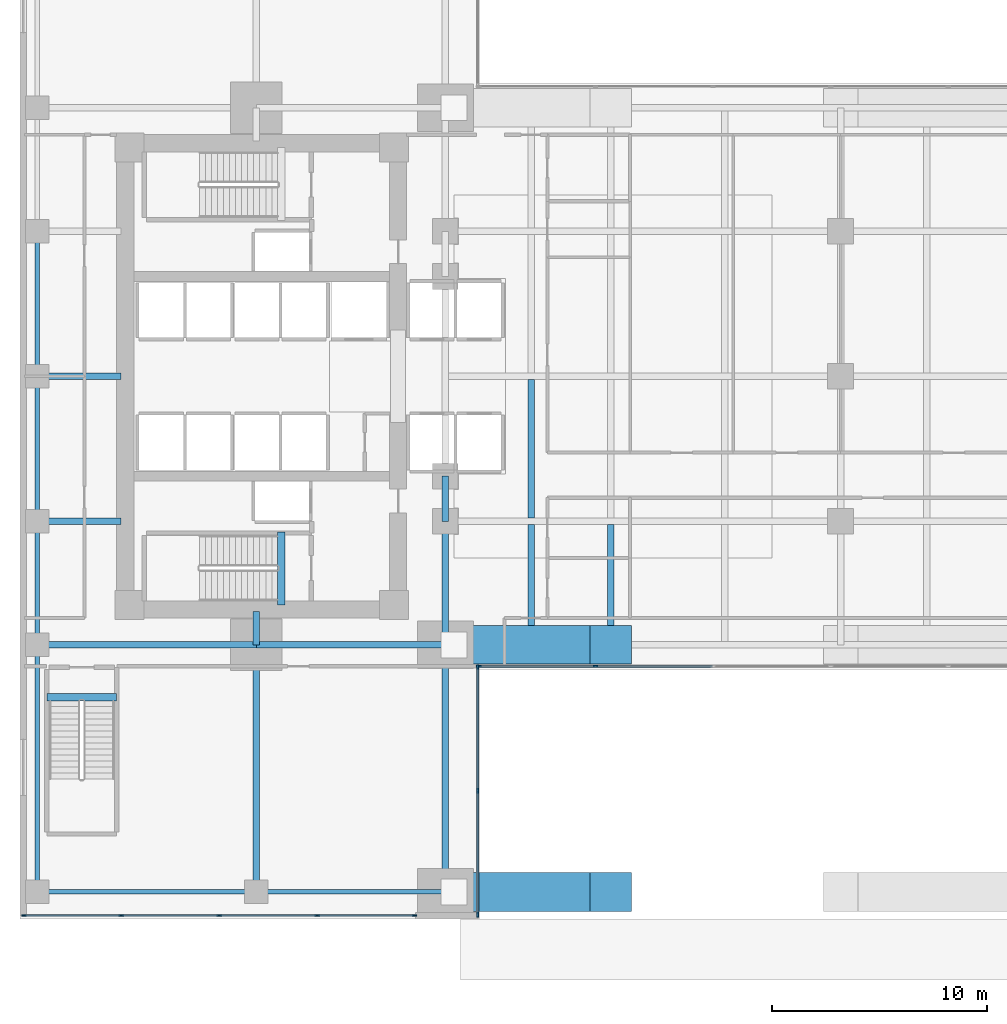
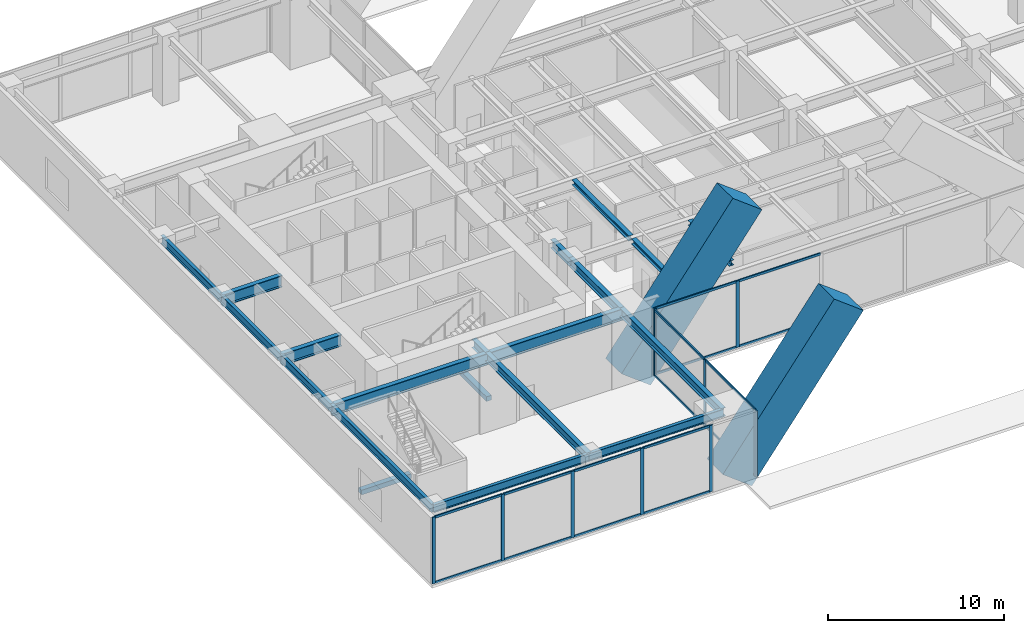
# One storey, part 2 of 13: 26 members, 22 beams, 3 elements without a shape of their own.
"""IFC4 building model written with IfcOpenShell, lengths in metres."""

from ifc_helpers import new_model, si_unit, direction, frame, origin, origin_2d, place, context, subcontext, project, spatial, rectangle, i_section, extrude, material, layer, layer_set, material_profile, profile_set, type_object, element, aggregate, save


model = new_model("IFC4")

# Units and contexts
model_context = context("Model", 3, precision=1e-05, world=origin(), true_north=direction((0.0, 1.0)))
body_context = subcontext(model_context, "Body", "Model", "MODEL_VIEW")
ifc_project = project(units=[si_unit("LENGTHUNIT", "METRE"), si_unit("AREAUNIT", "SQUARE_METRE"), si_unit("VOLUMEUNIT", "CUBIC_METRE"), si_unit("PLANEANGLEUNIT", "RADIAN"), si_unit("MASSUNIT", "GRAM", prefix="KILO")], contexts=[model_context])

# Site, building, storey
site_placement = place(None, origin())
site = spatial("IfcSite", under=ifc_project, at=site_placement, CompositionType="ELEMENT")
building_placement = place(site_placement, origin())
building = spatial("IfcBuilding", under=site, at=building_placement, Name="Kinhvarn Gate Tower", CompositionType="ELEMENT")
storey_placement = place(building_placement, frame((0.0, 0.0, 6.0)))
storey = spatial("IfcBuildingStorey", under=building, at=storey_placement, Name="L01", CompositionType="ELEMENT", Elevation=6.0)

# Beams
ifc_material_1 = material(Name="Concrete C70/85", Category="concrete")
ifc_material_profile_1 = material_profile(ifc_material_1, rectangle(XDim=1.800048828125, YDim=2.39990234375, at=origin_2d()), Name="RC 1800x2400")
ifc_profile_set_1 = profile_set([ifc_material_profile_1], Name="Concrete C70/85")
beam_type_1 = type_object("IfcBeamType", Name="BM-AR-2400", PredefinedType="BEAM", material=ifc_profile_set_1)
for number, where, z_axis, x_axis, name in (
    (1, (20.199951171875, 1.25, 0.0), (0.60529214593, 0.0, 0.796003403306), (0.0, 1.0, 0.0), "Portal Arch West Haunch Rib AR-01-W1"),
    (2, (20.199951171875, 12.75, 0.0), (0.60529214593, 0.0, 0.796003403306), (0.0, 1.0, 0.0), "Portal Arch West Haunch Rib AR-01-W2"),
):
    element("IfcBeam", number, at=place(storey_placement, frame(where, z_axis=z_axis, x_axis=x_axis)), inside=storey, type_object=beam_type_1, Name=name, PredefinedType="BEAM", context=body_context, shape_type="SweptSolid", body=[
        extrude(rectangle(XDim=1.800048828125, YDim=2.39990234375, at=origin_2d()), origin(), (0.0, 0.0, 1.0), 12.060302734375),
    ])
ifc_material_2 = material(Name="Concrete C50/60", Category="concrete")
ifc_material_profile_2 = material_profile(ifc_material_2, rectangle(XDim=0.340087890625, YDim=0.320068359375, at=origin_2d()), Name="RC 340x320")
ifc_profile_set_2 = profile_set([ifc_material_profile_2], Name="Concrete C50/60")
beam_type_2 = type_object("IfcBeamType", Name="BM-LND-500", PredefinedType="BEAM", material=ifc_profile_set_2)
beam_1_placement = place(storey_placement, frame((12.1650390625, 14.60009765625, -0.159912109375), z_axis=(0.0, 1.0, 0.0), x_axis=(-1.0, 0.0, 0.0)))
element("IfcBeam", 3, at=beam_1_placement, inside=storey, type_object=beam_type_2, Name="Stair ST1 Landing Nosing Beam (L01)", PredefinedType="BEAM", context=body_context, shape_type="SweptSolid", body=[
    extrude(rectangle(XDim=0.340087890625, YDim=0.320068359375, at=origin_2d()), origin(), (0.0, 0.0, 1.0), 3.39990234375),
])
beam_2_placement = place(storey_placement, frame((1.25, 10.31494140625, -0.159912109375), z_axis=(1.0, 0.0, 0.0), x_axis=(0.0, 1.0, 0.0)))
element("IfcBeam", 4, at=beam_2_placement, inside=storey, type_object=beam_type_2, Name="Stair ST3 Landing Nosing Beam (L01)", PredefinedType="BEAM", context=body_context, shape_type="SweptSolid", body=[
    extrude(rectangle(XDim=0.340087890625, YDim=0.320068359375, at=origin_2d()), origin(), (0.0, 0.0, 1.0), 3.25),
])

# Curtain wall, members
ifc_material_3 = material(Name="Anodised aluminium AW-6063", Category="aluminium")
ifc_layer = layer(ifc_material_3, 0.219970703125)
ifc_layer_set = layer_set([ifc_layer], Name="Anodised aluminium AW-6063")
curtain_wall_type = type_object("IfcCurtainWallType", Name="CW-SYS-1", PredefinedType="NOTDEFINED", material=ifc_layer_set)
curtain_wall_1_placement = place(storey_placement, origin())
curtain_wall_1 = element("IfcCurtainWall", 5, at=curtain_wall_1_placement, inside=storey, type_object=curtain_wall_type, Name="Curtain Wall CW1 (L01)", PredefinedType="NOTDEFINED")
ifc_material_profile_3 = material_profile(ifc_material_3, rectangle(XDim=0.080078125, YDim=0.219970703125, at=origin_2d()), Name="ALU 80x220")
ifc_profile_set_3 = profile_set([ifc_material_profile_3], Name="Anodised aluminium AW-6063")
member_type_1 = type_object("IfcMemberType", Name="CW-MUL-220", PredefinedType="MULLION", material=ifc_profile_set_3)
member_1_placement = place(storey_placement, frame((0.18994140625, 0.14990234375, 0.0), z_axis=(0.0, 0.0, 1.0), x_axis=(0.0, 1.0, 0.0)))
member_1 = element("IfcMember", 6, at=member_1_placement, type_object=member_type_1, Name="CW1 mullion 1", PredefinedType="MULLION", context=body_context, shape_type="SweptSolid", body=[
    extrude(rectangle(XDim=0.080078125, YDim=0.219970703125, at=origin_2d()), origin(), (0.0, 0.0, 1.0), 4.60009765625),
])
member_2_placement = place(storey_placement, frame((4.71240234375, 0.14990234375, 0.0), z_axis=(0.0, 0.0, 1.0), x_axis=(0.0, 1.0, 0.0)))
member_2 = element("IfcMember", 7, at=member_2_placement, type_object=member_type_1, Name="CW1 mullion 2", PredefinedType="MULLION", context=body_context, shape_type="SweptSolid", body=[
    extrude(rectangle(XDim=0.080078125, YDim=0.219970703125, at=origin_2d()), origin(), (0.0, 0.0, 1.0), 4.60009765625),
])
member_3_placement = place(storey_placement, frame((9.27490234375, 0.14990234375, 0.0), z_axis=(0.0, 0.0, 1.0), x_axis=(0.0, 1.0, 0.0)))
member_3 = element("IfcMember", 8, at=member_3_placement, type_object=member_type_1, Name="CW1 mullion 3", PredefinedType="MULLION", context=body_context, shape_type="SweptSolid", body=[
    extrude(rectangle(XDim=0.080078125, YDim=0.219970703125, at=origin_2d()), origin(), (0.0, 0.0, 1.0), 4.60009765625),
])
member_4_placement = place(storey_placement, frame((13.83740234375, 0.14990234375, 0.0), z_axis=(0.0, 0.0, 1.0), x_axis=(0.0, 1.0, 0.0)))
member_4 = element("IfcMember", 9, at=member_4_placement, type_object=member_type_1, Name="CW1 mullion 4", PredefinedType="MULLION", context=body_context, shape_type="SweptSolid", body=[
    extrude(rectangle(XDim=0.080078125, YDim=0.219970703125, at=origin_2d()), origin(), (0.0, 0.0, 1.0), 4.60009765625),
])
member_5_placement = place(storey_placement, frame((18.360107421875, 0.14990234375, 0.0), z_axis=(0.0, 0.0, 1.0), x_axis=(0.0, 1.0, 0.0)))
member_5 = element("IfcMember", 10, at=member_5_placement, type_object=member_type_1, Name="CW1 mullion 5", PredefinedType="MULLION", context=body_context, shape_type="SweptSolid", body=[
    extrude(rectangle(XDim=0.080078125, YDim=0.219970703125, at=origin_2d()), origin(), (0.0, 0.0, 1.0), 4.60009765625),
])

curtain_wall_2_placement = place(storey_placement, origin())
curtain_wall_2 = element("IfcCurtainWall", 11, at=curtain_wall_2_placement, inside=storey, type_object=curtain_wall_type, Name="Curtain Wall CW1 (L01)", PredefinedType="NOTDEFINED")
member_6_placement = place(storey_placement, frame((21.31005859375, 0.18994140625, 0.0), z_axis=(0.0, 0.0, 1.0), x_axis=(-1.0, 0.0, 0.0)))
member_6 = element("IfcMember", 12, at=member_6_placement, type_object=member_type_1, Name="CW1 mullion 1", PredefinedType="MULLION", context=body_context, shape_type="SweptSolid", body=[
    extrude(rectangle(XDim=0.080078125, YDim=0.219970703125, at=origin_2d()), origin(), (0.0, 0.0, 1.0), 4.60009765625),
])
member_7_placement = place(storey_placement, frame((21.31005859375, 5.955078125, 0.0), z_axis=(0.0, 0.0, 1.0), x_axis=(-1.0, 0.0, 0.0)))
member_7 = element("IfcMember", 13, at=member_7_placement, type_object=member_type_1, Name="CW1 mullion 2", PredefinedType="MULLION", context=body_context, shape_type="SweptSolid", body=[
    extrude(rectangle(XDim=0.080078125, YDim=0.219970703125, at=origin_2d()), origin(), (0.0, 0.0, 1.0), 4.60009765625),
])
member_8_placement = place(storey_placement, frame((21.31005859375, 11.719970703125, 0.0), z_axis=(0.0, 0.0, 1.0), x_axis=(-1.0, 0.0, 0.0)))
member_8 = element("IfcMember", 14, at=member_8_placement, type_object=member_type_1, Name="CW1 mullion 3", PredefinedType="MULLION", context=body_context, shape_type="SweptSolid", body=[
    extrude(rectangle(XDim=0.080078125, YDim=0.219970703125, at=origin_2d()), origin(), (0.0, 0.0, 1.0), 4.60009765625),
])

curtain_wall_3_placement = place(storey_placement, origin())
curtain_wall_3 = element("IfcCurtainWall", 15, at=curtain_wall_3_placement, inside=storey, type_object=curtain_wall_type, Name="Curtain Wall CW1 (L01)", PredefinedType="NOTDEFINED")
member_9_placement = place(storey_placement, frame((21.35009765625, 11.760009765625, 0.0), z_axis=(0.0, 0.0, 1.0), x_axis=(0.0, 1.0, 0.0)))
member_9 = element("IfcMember", 16, at=member_9_placement, type_object=member_type_1, Name="CW1 mullion 1", PredefinedType="MULLION", context=body_context, shape_type="SweptSolid", body=[
    extrude(rectangle(XDim=0.080078125, YDim=0.219970703125, at=origin_2d()), origin(), (0.0, 0.0, 1.0), 4.60009765625),
])
member_10_placement = place(storey_placement, frame((26.785888671875, 11.760009765625, 0.0), z_axis=(0.0, 0.0, 1.0), x_axis=(0.0, 1.0, 0.0)))
member_10 = element("IfcMember", 17, at=member_10_placement, type_object=member_type_1, Name="CW1 mullion 2", PredefinedType="MULLION", context=body_context, shape_type="SweptSolid", body=[
    extrude(rectangle(XDim=0.080078125, YDim=0.219970703125, at=origin_2d()), origin(), (0.0, 0.0, 1.0), 4.60009765625),
])

# Member
ifc_material_profile_4 = material_profile(ifc_material_3, rectangle(XDim=0.080078125, YDim=0.159912109375, at=origin_2d()), Name="ALU 80x160")
ifc_profile_set_4 = profile_set([ifc_material_profile_4], Name="Anodised aluminium AW-6063")
member_type_2 = type_object("IfcMemberType", Name="CW-TRN-160", PredefinedType="USERDEFINED", material=ifc_profile_set_4)
member_11_placement = place(storey_placement, frame((0.22998046875, 0.14990234375, 0.0400390625), z_axis=(1.0, 0.0, 0.0), x_axis=(0.0, 1.0, 0.0)))
member_11 = element("IfcMember", 18, at=member_11_placement, type_object=member_type_2, Name="CW1 transom 1.1", ObjectType="TRANSOM", PredefinedType="USERDEFINED", context=body_context, shape_type="SweptSolid", body=[
    extrude(rectangle(XDim=0.080078125, YDim=0.159912109375, at=origin_2d()), origin(), (0.0, 0.0, 1.0), 4.442626953125),
])

member_12_placement = place(storey_placement, frame((0.22998046875, 0.14990234375, 4.56005859375), z_axis=(1.0, 0.0, 0.0), x_axis=(0.0, 1.0, 0.0)))
member_12 = element("IfcMember", 19, at=member_12_placement, type_object=member_type_2, Name="CW1 transom 1.2", ObjectType="TRANSOM", PredefinedType="USERDEFINED", context=body_context, shape_type="SweptSolid", body=[
    extrude(rectangle(XDim=0.080078125, YDim=0.159912109375, at=origin_2d()), origin(), (0.0, 0.0, 1.0), 4.442626953125),
])

member_13_placement = place(storey_placement, frame((4.75244140625, 0.14990234375, 0.0400390625), z_axis=(1.0, 0.0, 0.0), x_axis=(0.0, 1.0, 0.0)))
member_13 = element("IfcMember", 20, at=member_13_placement, type_object=member_type_2, Name="CW1 transom 2.1", ObjectType="TRANSOM", PredefinedType="USERDEFINED", context=body_context, shape_type="SweptSolid", body=[
    extrude(rectangle(XDim=0.080078125, YDim=0.159912109375, at=origin_2d()), origin(), (0.0, 0.0, 1.0), 4.482666015625),
])

member_14_placement = place(storey_placement, frame((4.75244140625, 0.14990234375, 4.56005859375), z_axis=(1.0, 0.0, 0.0), x_axis=(0.0, 1.0, 0.0)))
member_14 = element("IfcMember", 21, at=member_14_placement, type_object=member_type_2, Name="CW1 transom 2.2", ObjectType="TRANSOM", PredefinedType="USERDEFINED", context=body_context, shape_type="SweptSolid", body=[
    extrude(rectangle(XDim=0.080078125, YDim=0.159912109375, at=origin_2d()), origin(), (0.0, 0.0, 1.0), 4.482666015625),
])

member_15_placement = place(storey_placement, frame((9.31494140625, 0.14990234375, 0.0400390625), z_axis=(1.0, 0.0, 0.0), x_axis=(0.0, 1.0, 0.0)))
member_15 = element("IfcMember", 22, at=member_15_placement, type_object=member_type_2, Name="CW1 transom 3.1", ObjectType="TRANSOM", PredefinedType="USERDEFINED", context=body_context, shape_type="SweptSolid", body=[
    extrude(rectangle(XDim=0.080078125, YDim=0.159912109375, at=origin_2d()), origin(), (0.0, 0.0, 1.0), 4.482666015625),
])

member_16_placement = place(storey_placement, frame((9.31494140625, 0.14990234375, 4.56005859375), z_axis=(1.0, 0.0, 0.0), x_axis=(0.0, 1.0, 0.0)))
member_16 = element("IfcMember", 23, at=member_16_placement, type_object=member_type_2, Name="CW1 transom 3.2", ObjectType="TRANSOM", PredefinedType="USERDEFINED", context=body_context, shape_type="SweptSolid", body=[
    extrude(rectangle(XDim=0.080078125, YDim=0.159912109375, at=origin_2d()), origin(), (0.0, 0.0, 1.0), 4.482666015625),
])

member_17_placement = place(storey_placement, frame((13.87744140625, 0.14990234375, 0.0400390625), z_axis=(1.0, 0.0, 0.0), x_axis=(0.0, 1.0, 0.0)))
member_17 = element("IfcMember", 24, at=member_17_placement, type_object=member_type_2, Name="CW1 transom 4.1", ObjectType="TRANSOM", PredefinedType="USERDEFINED", context=body_context, shape_type="SweptSolid", body=[
    extrude(rectangle(XDim=0.080078125, YDim=0.159912109375, at=origin_2d()), origin(), (0.0, 0.0, 1.0), 4.442626953125),
])

member_18_placement = place(storey_placement, frame((13.87744140625, 0.14990234375, 4.56005859375), z_axis=(1.0, 0.0, 0.0), x_axis=(0.0, 1.0, 0.0)))
member_18 = element("IfcMember", 25, at=member_18_placement, type_object=member_type_2, Name="CW1 transom 4.2", ObjectType="TRANSOM", PredefinedType="USERDEFINED", context=body_context, shape_type="SweptSolid", body=[
    extrude(rectangle(XDim=0.080078125, YDim=0.159912109375, at=origin_2d()), origin(), (0.0, 0.0, 1.0), 4.442626953125),
])

aggregate(curtain_wall_1, [member_1, member_2, member_3, member_4, member_5, member_11, member_12, member_13, member_14, member_15, member_16, member_17, member_18])

member_19_placement = place(storey_placement, frame((21.31005859375, 0.22998046875, 0.0400390625), z_axis=(0.0, 1.0, 0.0), x_axis=(-1.0, 0.0, 0.0)))
member_19 = element("IfcMember", 26, at=member_19_placement, type_object=member_type_2, Name="CW1 transom 1.1", ObjectType="TRANSOM", PredefinedType="USERDEFINED", context=body_context, shape_type="SweptSolid", body=[
    extrude(rectangle(XDim=0.080078125, YDim=0.159912109375, at=origin_2d()), origin(), (0.0, 0.0, 1.0), 5.68505859375),
])

member_20_placement = place(storey_placement, frame((21.31005859375, 0.22998046875, 4.56005859375), z_axis=(0.0, 1.0, 0.0), x_axis=(-1.0, 0.0, 0.0)))
member_20 = element("IfcMember", 27, at=member_20_placement, type_object=member_type_2, Name="CW1 transom 1.2", ObjectType="TRANSOM", PredefinedType="USERDEFINED", context=body_context, shape_type="SweptSolid", body=[
    extrude(rectangle(XDim=0.080078125, YDim=0.159912109375, at=origin_2d()), origin(), (0.0, 0.0, 1.0), 5.68505859375),
])

member_21_placement = place(storey_placement, frame((21.31005859375, 5.9951171875, 0.0400390625), z_axis=(0.0, 1.0, 0.0), x_axis=(-1.0, 0.0, 0.0)))
member_21 = element("IfcMember", 28, at=member_21_placement, type_object=member_type_2, Name="CW1 transom 2.1", ObjectType="TRANSOM", PredefinedType="USERDEFINED", context=body_context, shape_type="SweptSolid", body=[
    extrude(rectangle(XDim=0.080078125, YDim=0.159912109375, at=origin_2d()), origin(), (0.0, 0.0, 1.0), 5.684814453125),
])

member_22_placement = place(storey_placement, frame((21.31005859375, 5.9951171875, 4.56005859375), z_axis=(0.0, 1.0, 0.0), x_axis=(-1.0, 0.0, 0.0)))
member_22 = element("IfcMember", 29, at=member_22_placement, type_object=member_type_2, Name="CW1 transom 2.2", ObjectType="TRANSOM", PredefinedType="USERDEFINED", context=body_context, shape_type="SweptSolid", body=[
    extrude(rectangle(XDim=0.080078125, YDim=0.159912109375, at=origin_2d()), origin(), (0.0, 0.0, 1.0), 5.684814453125),
])

aggregate(curtain_wall_2, [member_6, member_7, member_8, member_19, member_20, member_21, member_22])

member_23_placement = place(storey_placement, frame((21.389892578125, 11.760009765625, 0.0400390625), z_axis=(1.0, 0.0, 0.0), x_axis=(0.0, 1.0, 0.0)))
member_23 = element("IfcMember", 30, at=member_23_placement, type_object=member_type_2, Name="CW1 transom 1.1", ObjectType="TRANSOM", PredefinedType="USERDEFINED", context=body_context, shape_type="SweptSolid", body=[
    extrude(rectangle(XDim=0.080078125, YDim=0.159912109375, at=origin_2d()), origin(), (0.0, 0.0, 1.0), 5.356201171875),
])

member_24_placement = place(storey_placement, frame((21.389892578125, 11.760009765625, 4.56005859375), z_axis=(1.0, 0.0, 0.0), x_axis=(0.0, 1.0, 0.0)))
member_24 = element("IfcMember", 31, at=member_24_placement, type_object=member_type_2, Name="CW1 transom 1.2", ObjectType="TRANSOM", PredefinedType="USERDEFINED", context=body_context, shape_type="SweptSolid", body=[
    extrude(rectangle(XDim=0.080078125, YDim=0.159912109375, at=origin_2d()), origin(), (0.0, 0.0, 1.0), 5.356201171875),
])

member_25_placement = place(storey_placement, frame((26.825927734375, 11.760009765625, 0.0400390625), z_axis=(1.0, 0.0, 0.0), x_axis=(0.0, 1.0, 0.0)))
member_25 = element("IfcMember", 32, at=member_25_placement, type_object=member_type_2, Name="CW1 transom 2.1", ObjectType="TRANSOM", PredefinedType="USERDEFINED", context=body_context, shape_type="SweptSolid", body=[
    extrude(rectangle(XDim=0.080078125, YDim=0.159912109375, at=origin_2d()), origin(), (0.0, 0.0, 1.0), 5.39599609375),
])

member_26_placement = place(storey_placement, frame((26.825927734375, 11.760009765625, 4.56005859375), z_axis=(1.0, 0.0, 0.0), x_axis=(0.0, 1.0, 0.0)))
member_26 = element("IfcMember", 33, at=member_26_placement, type_object=member_type_2, Name="CW1 transom 2.2", ObjectType="TRANSOM", PredefinedType="USERDEFINED", context=body_context, shape_type="SweptSolid", body=[
    extrude(rectangle(XDim=0.080078125, YDim=0.159912109375, at=origin_2d()), origin(), (0.0, 0.0, 1.0), 5.39599609375),
])

aggregate(curtain_wall_3, [member_9, member_10, member_23, member_24, member_25, member_26])

# Beams
ifc_material_4 = material(Name="Steel S355", Category="steel")
ifc_material_profile_5 = material_profile(ifc_material_4, i_section(OverallWidth=0.300048828125, OverallDepth=0.360107421875, WebThickness=0.012451171875, FlangeThickness=0.0224609375, at=origin_2d()), Name="HEB 360")
ifc_profile_set_5 = profile_set([ifc_material_profile_5], Name="Steel S355")
beam_type_3 = type_object("IfcBeamType", Name="STL-HEB360", PredefinedType="BEAM", material=ifc_profile_set_5)
for number, where, z_axis, x_axis, name in (
    (34, (23.800048828125, 13.64990234375, 4.419921875), (0.0, 1.0, 0.0), (-1.0, 0.0, 0.0), "Floor Beam PG-11 (L01 POD-J238-12)"),
    (35, (27.5, 13.64990234375, 4.419921875), (0.0, 1.0, 0.0), (-1.0, 0.0, 0.0), "Floor Beam PG-11 (L01 POD-J275-12)"),
):
    element("IfcBeam", number, at=place(storey_placement, frame(where, z_axis=z_axis, x_axis=x_axis)), inside=storey, type_object=beam_type_3, Name=name, PredefinedType="BEAM", context=body_context, shape_type="SweptSolid", body=[
        extrude(i_section(OverallWidth=0.300048828125, OverallDepth=0.360107421875, WebThickness=0.012451171875, FlangeThickness=0.0224609375, at=origin_2d()), origin(), (0.0, 0.0, 1.0), 4.7001953125),
    ])
beam_3_placement = place(storey_placement, frame((23.800048828125, 18.64990234375, 4.419921875), z_axis=(0.0, 1.0, 0.0), x_axis=(-1.0, 0.0, 0.0)))
element("IfcBeam", 36, at=beam_3_placement, inside=storey, type_object=beam_type_3, Name="Floor Beam PG-11 (L01 POD-J238-18)", PredefinedType="BEAM", context=body_context, shape_type="SweptSolid", body=[
    extrude(i_section(OverallWidth=0.300048828125, OverallDepth=0.360107421875, WebThickness=0.012451171875, FlangeThickness=0.0224609375, at=origin_2d()), origin(), (0.0, 0.0, 1.0), 6.4501953125),
])
ifc_material_profile_6 = material_profile(ifc_material_4, i_section(OverallWidth=0.300048828125, OverallDepth=0.60009765625, WebThickness=0.015380859375, FlangeThickness=0.030029296875, at=origin_2d()), Name="HEB 600")
ifc_profile_set_6 = profile_set([ifc_material_profile_6], Name="Steel S355")
beam_type_4 = type_object("IfcBeamType", Name="STL-HEB600", PredefinedType="BEAM", material=ifc_profile_set_6)
beam_4_placement = place(storey_placement, frame((11.0, 1.25, 4.300048828125), z_axis=(0.0, 1.0, 0.0), x_axis=(-1.0, 0.0, 0.0)))
element("IfcBeam", 37, at=beam_4_placement, inside=storey, type_object=beam_type_4, Name="Floor Beam PG-16 (L01 NS11-S)", PredefinedType="BEAM", context=body_context, shape_type="SweptSolid", body=[
    extrude(i_section(OverallWidth=0.300048828125, OverallDepth=0.60009765625, WebThickness=0.015380859375, FlangeThickness=0.030029296875, at=origin_2d()), origin(), (0.0, 0.0, 1.0), 11.5),
])
beam_5_placement = place(storey_placement, frame((11.0, 12.75, 4.300048828125), z_axis=(0.0, 1.0, 0.0), x_axis=(-1.0, 0.0, 0.0)))
element("IfcBeam", 38, at=beam_5_placement, inside=storey, type_object=beam_type_4, Name="Floor Beam PG-16 (L01 NS11-CS)", PredefinedType="BEAM", context=body_context, shape_type="SweptSolid", body=[
    extrude(i_section(OverallWidth=0.300048828125, OverallDepth=0.60009765625, WebThickness=0.015380859375, FlangeThickness=0.030029296875, at=origin_2d()), origin(), (0.0, 0.0, 1.0), 1.550048828125),
])
beam_6_placement = place(storey_placement, frame((19.800048828125, 1.25, 4.300048828125), z_axis=(0.0, 1.0, 0.0), x_axis=(-1.0, 0.0, 0.0)))
element("IfcBeam", 39, at=beam_6_placement, inside=storey, type_object=beam_type_4, Name="Floor Beam PG-16 (L01 APW-1)", PredefinedType="BEAM", context=body_context, shape_type="SweptSolid", body=[
    extrude(i_section(OverallWidth=0.300048828125, OverallDepth=0.60009765625, WebThickness=0.015380859375, FlangeThickness=0.030029296875, at=origin_2d()), origin(), (0.0, 0.0, 1.0), 11.5),
])
beam_7_placement = place(storey_placement, frame((19.800048828125, 12.75, 4.300048828125), z_axis=(0.0, 1.0, 0.0), x_axis=(-1.0, 0.0, 0.0)))
element("IfcBeam", 40, at=beam_7_placement, inside=storey, type_object=beam_type_4, Name="Floor Beam PG-16 (L01 APW-2)", PredefinedType="BEAM", context=body_context, shape_type="SweptSolid", body=[
    extrude(i_section(OverallWidth=0.300048828125, OverallDepth=0.60009765625, WebThickness=0.015380859375, FlangeThickness=0.030029296875, at=origin_2d()), origin(), (0.0, 0.0, 1.0), 5.75),
])
beam_8_placement = place(storey_placement, frame((19.800048828125, 18.5, 4.300048828125), z_axis=(0.0, 1.0, 0.0), x_axis=(-1.0, 0.0, 0.0)))
element("IfcBeam", 41, at=beam_8_placement, inside=storey, type_object=beam_type_4, Name="Floor Beam PG-16 (L01 APW-3)", PredefinedType="BEAM", context=body_context, shape_type="SweptSolid", body=[
    extrude(i_section(OverallWidth=0.300048828125, OverallDepth=0.60009765625, WebThickness=0.015380859375, FlangeThickness=0.030029296875, at=origin_2d()), origin(), (0.0, 0.0, 1.0), 2.10009765625),
])
ifc_material_profile_7 = material_profile(ifc_material_4, i_section(OverallWidth=0.300048828125, OverallDepth=0.800048828125, WebThickness=0.017578125, FlangeThickness=0.032958984375, at=origin_2d()), Name="HEB 800")
ifc_profile_set_7 = profile_set([ifc_material_profile_7], Name="Steel S355")
beam_type_5 = type_object("IfcBeamType", Name="STL-HEB800", PredefinedType="BEAM", material=ifc_profile_set_7)
beam_9_placement = place(storey_placement, frame((0.800048828125, 12.75, 4.199951171875), z_axis=(1.0, 0.0, 0.0), x_axis=(0.0, 1.0, 0.0)))
element("IfcBeam", 42, at=beam_9_placement, inside=storey, type_object=beam_type_5, Name="Floor Beam PG-19 (L01 SPS-1)", PredefinedType="BEAM", context=body_context, shape_type="SweptSolid", body=[
    extrude(i_section(OverallWidth=0.300048828125, OverallDepth=0.800048828125, WebThickness=0.017578125, FlangeThickness=0.032958984375, at=origin_2d()), origin(), (0.0, 0.0, 1.0), 10.199951171875),
])
beam_10_placement = place(storey_placement, frame((11.0, 12.75, 4.199951171875), z_axis=(1.0, 0.0, 0.0), x_axis=(0.0, 1.0, 0.0)))
element("IfcBeam", 43, at=beam_10_placement, inside=storey, type_object=beam_type_5, Name="Floor Beam PG-19 (L01 SPS-2)", PredefinedType="BEAM", context=body_context, shape_type="SweptSolid", body=[
    extrude(i_section(OverallWidth=0.300048828125, OverallDepth=0.800048828125, WebThickness=0.017578125, FlangeThickness=0.032958984375, at=origin_2d()), origin(), (0.0, 0.0, 1.0), 8.800048828125),
])
for number, where, z_axis, x_axis, name in (
    (44, (0.800048828125, 18.5, 4.199951171875), (1.0, 0.0, 0.0), (0.0, 1.0, 0.0), "Floor Beam PG-19 (L01 W-MID-18)"),
    (45, (0.800048828125, 25.25, 4.199951171875), (1.0, 0.0, 0.0), (0.0, 1.0, 0.0), "Floor Beam PG-19 (L01 W-MID-25)"),
):
    element("IfcBeam", number, at=place(storey_placement, frame(where, z_axis=z_axis, x_axis=x_axis)), inside=storey, type_object=beam_type_5, Name=name, PredefinedType="BEAM", context=body_context, shape_type="SweptSolid", body=[
        extrude(i_section(OverallWidth=0.300048828125, OverallDepth=0.800048828125, WebThickness=0.017578125, FlangeThickness=0.032958984375, at=origin_2d()), origin(), (0.0, 0.0, 1.0), 3.89990234375),
    ])
ifc_material_profile_8 = material_profile(ifc_material_4, i_section(OverallWidth=0.2099609375, OverallDepth=0.550048828125, WebThickness=0.010986328125, FlangeThickness=0.01708984375, at=origin_2d()), Name="IPE 550")
ifc_profile_set_8 = profile_set([ifc_material_profile_8], Name="Steel S355")
beam_type_6 = type_object("IfcBeamType", Name="STL-IPE550", PredefinedType="SPANDREL", material=ifc_profile_set_8)
beam_11_placement = place(storey_placement, frame((0.800048828125, 1.25, 4.324951171875), z_axis=(0.0, 1.0, 0.0), x_axis=(-1.0, 0.0, 0.0)))
element("IfcBeam", 46, at=beam_11_placement, inside=storey, type_object=beam_type_6, Name="Floor Spandrel SB-08 (L01 PERW-1)", PredefinedType="SPANDREL", context=body_context, shape_type="SweptSolid", body=[
    extrude(i_section(OverallWidth=0.2099609375, OverallDepth=0.550048828125, WebThickness=0.010986328125, FlangeThickness=0.01708984375, at=origin_2d()), origin(), (0.0, 0.0, 1.0), 11.5),
])
beam_12_placement = place(storey_placement, frame((0.800048828125, 12.75, 4.324951171875), z_axis=(0.0, 1.0, 0.0), x_axis=(-1.0, 0.0, 0.0)))
element("IfcBeam", 47, at=beam_12_placement, inside=storey, type_object=beam_type_6, Name="Floor Spandrel SB-08 (L01 PERW-2)", PredefinedType="SPANDREL", context=body_context, shape_type="SweptSolid", body=[
    extrude(i_section(OverallWidth=0.2099609375, OverallDepth=0.550048828125, WebThickness=0.010986328125, FlangeThickness=0.01708984375, at=origin_2d()), origin(), (0.0, 0.0, 1.0), 5.75),
])
for number, where, z_axis, x_axis, name in (
    (48, (0.800048828125, 18.5, 4.324951171875), (0.0, 1.0, 0.0), (-1.0, 0.0, 0.0), "Floor Spandrel SB-08 (L01 PERW-3)"),
    (49, (0.800048828125, 25.25, 4.324951171875), (0.0, 1.0, 0.0), (-1.0, 0.0, 0.0), "Floor Spandrel SB-08 (L01 PERW-4)"),
):
    element("IfcBeam", number, at=place(storey_placement, frame(where, z_axis=z_axis, x_axis=x_axis)), inside=storey, type_object=beam_type_6, Name=name, PredefinedType="SPANDREL", context=body_context, shape_type="SweptSolid", body=[
        extrude(i_section(OverallWidth=0.2099609375, OverallDepth=0.550048828125, WebThickness=0.010986328125, FlangeThickness=0.01708984375, at=origin_2d()), origin(), (0.0, 0.0, 1.0), 6.75),
    ])
beam_13_placement = place(storey_placement, frame((0.800048828125, 1.25, 4.324951171875), z_axis=(1.0, 0.0, 0.0), x_axis=(0.0, 1.0, 0.0)))
element("IfcBeam", 50, at=beam_13_placement, inside=storey, type_object=beam_type_6, Name="Floor Spandrel SB-08 (L01 SP-POD-SW1)", PredefinedType="SPANDREL", context=body_context, shape_type="SweptSolid", body=[
    extrude(i_section(OverallWidth=0.2099609375, OverallDepth=0.550048828125, WebThickness=0.010986328125, FlangeThickness=0.01708984375, at=origin_2d()), origin(), (0.0, 0.0, 1.0), 10.199951171875),
])
beam_14_placement = place(storey_placement, frame((11.0, 1.25, 4.324951171875), z_axis=(1.0, 0.0, 0.0), x_axis=(0.0, 1.0, 0.0)))
element("IfcBeam", 51, at=beam_14_placement, inside=storey, type_object=beam_type_6, Name="Floor Spandrel SB-08 (L01 SP-POD-SW2)", PredefinedType="SPANDREL", context=body_context, shape_type="SweptSolid", body=[
    extrude(i_section(OverallWidth=0.2099609375, OverallDepth=0.550048828125, WebThickness=0.010986328125, FlangeThickness=0.01708984375, at=origin_2d()), origin(), (0.0, 0.0, 1.0), 8.800048828125),
])

save(model, "model.ifc")
